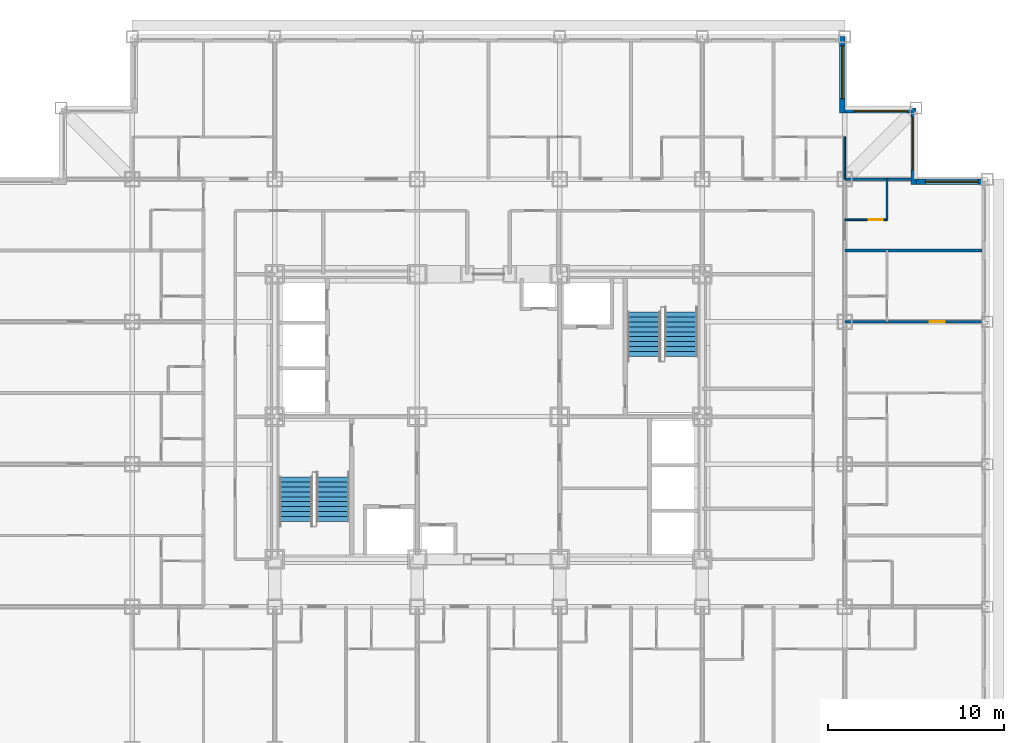
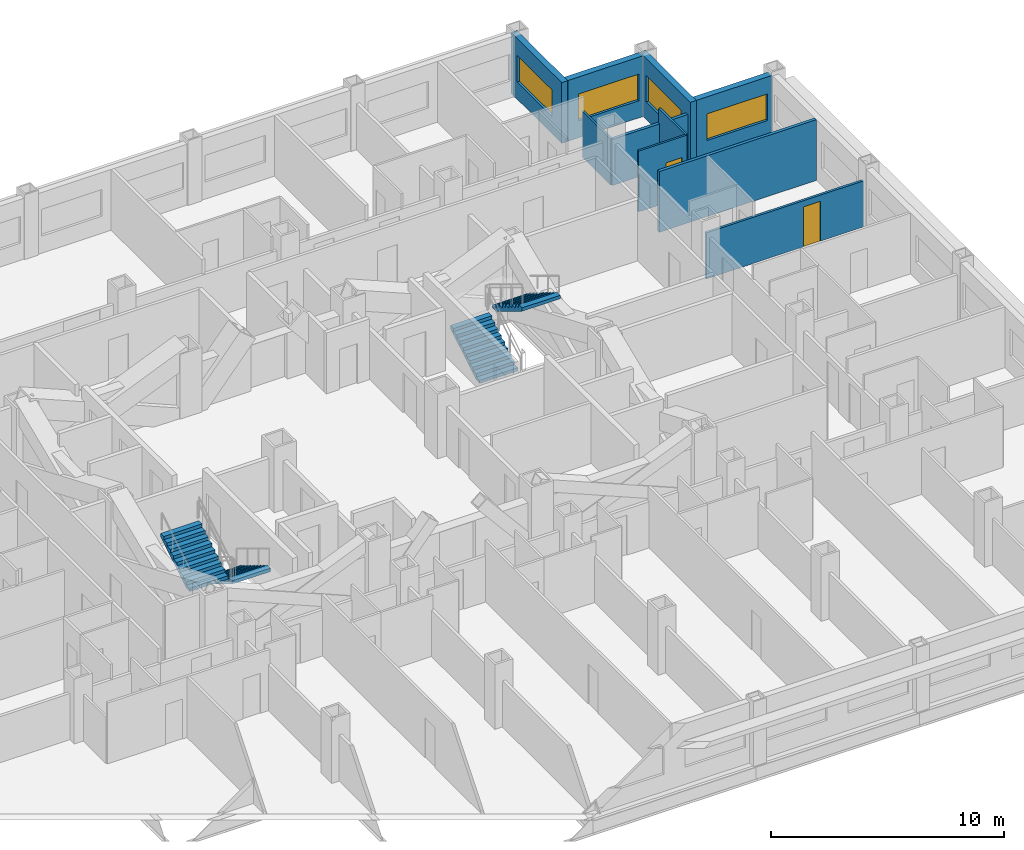
# One storey, part 11 of 12: 10 walls, 4 stair flights, 4 windows, 2 doors, 6 openings, 2 elements without a shape of their own.
"""IFC4 building model written with IfcOpenShell, lengths in metres."""

from ifc_helpers import new_model, si_unit, direction, frame, frame_2d, origin, place, context, subcontext, project, spatial, rectangle, extrude, polygons, source, transform, mapped, material, layer, layer_set, type_object, element, fill, aggregate, save


model = new_model("IFC4")

# Units and contexts
model_context = context("Model", 3, precision=1e-05, world=origin(), true_north=direction((0.0, 1.0)))
body_context = subcontext(model_context, "Body", "Model", "MODEL_VIEW")
ifc_project = project(units=[si_unit("LENGTHUNIT", "METRE"), si_unit("AREAUNIT", "SQUARE_METRE"), si_unit("VOLUMEUNIT", "CUBIC_METRE"), si_unit("PLANEANGLEUNIT", "RADIAN"), si_unit("MASSUNIT", "GRAM", prefix="KILO")], contexts=[model_context])

# Site, building, storey
site_placement = place(None, origin())
site = spatial("IfcSite", under=ifc_project, at=site_placement, CompositionType="ELEMENT")
building_placement = place(site_placement, origin())
building = spatial("IfcBuilding", under=site, at=building_placement, Name="Kopane Lantern Tower", CompositionType="ELEMENT")
storey_placement = place(building_placement, frame((0.0, 0.0, 147.60009765625)))
storey = spatial("IfcBuildingStorey", under=building, at=storey_placement, Name="L38", CompositionType="ELEMENT", Elevation=147.60009765625)

# Wall, opening, door
ifc_material_1 = material(Name="Gypsum board on steel studs", Category="steel")
ifc_layer_1 = layer(ifc_material_1, 0.1201171875)
ifc_layer_set_1 = layer_set([ifc_layer_1], Name="APARTMENT INTERNAL WALL 120")
wall_type_1 = type_object("IfcWallType", Name="APARTMENT INTERNAL WALL 120", PredefinedType="PARTITIONING", material=ifc_layer_set_1)
wall_1_placement = place(storey_placement, frame((48.60009765625, 37.800048828125, 0.0), z_axis=(0.0, 0.0, 1.0), x_axis=(1.0, 0.0, 0.0)))
wall_1 = element("IfcWall", 1, at=wall_1_placement, inside=storey, type_object=wall_type_1, Name="Apartment Internal Wall 120 L38", PredefinedType="PARTITIONING", context=body_context, shape_type="SweptSolid", body=[
    extrude(rectangle(XDim=7.7998046875, YDim=0.1201171875, at=frame_2d((3.89990234375, 0.0))), origin(), (0.0, 0.0, 1.0), 2.420166015625),
])
opening_1_placement = place(wall_1_placement, frame((4.824951171875, 0.0, 0.0)))
opening_1 = element("IfcOpeningElement", 2, at=opening_1_placement, cuts=wall_1, Name="Opening L38-053", PredefinedType="OPENING", context=body_context, shape_type="SweptSolid", body=[
    extrude(rectangle(XDim=0.85009765625, YDim=2.10009765625, at=frame_2d((0.425048828125, 1.050048828125))), frame((0.0, 0.070068359375, 0.0), z_axis=(0.0, -1.0, 0.0), x_axis=(1.0, 0.0, 0.0)), (0.0, 0.0, 1.0), 0.14013671875),
])
ifc_material_2 = material(Name="Timber door set", Category="wood")
door_type_1 = type_object("IfcDoorType", Name="DOOR D4 850x2100", OperationType="SINGLE_SWING_LEFT", PredefinedType="DOOR", material=ifc_material_2)
door_1_placement = place(opening_1_placement, origin())
door_1 = element("IfcDoor", 3, at=door_1_placement, inside=storey, type_object=door_type_1, Name="Door L38-053", OperationType="SINGLE_SWING_LEFT", OverallHeight=2.10009765625, OverallWidth=0.85009765625, PredefinedType="DOOR", context=body_context, shape_type="SweptSolid", body=[
    extrude(rectangle(XDim=0.85009765625, YDim=2.10009765625, at=frame_2d((0.425048828125, 1.050048828125))), frame((0.0, 0.02490234375, 0.0), z_axis=(0.0, -1.0, 0.0), x_axis=(1.0, 0.0, 0.0)), (0.0, 0.0, 1.0), 0.050048828125),
])
fill(opening_1, door_1)

# Wall
ifc_material_3 = material(Name="Moisture-resistant board on steel studs", Category="steel")
ifc_layer_2 = layer(ifc_material_3, 0.10009765625)
ifc_layer_set_2 = layer_set([ifc_layer_2], Name="BATHROOM WALL 100")
wall_type_2 = type_object("IfcWallType", Name="BATHROOM WALL 100", PredefinedType="PARTITIONING", material=ifc_layer_set_2)
wall_2_placement = place(storey_placement, frame((51.0, 43.60009765625, 0.0), z_axis=(0.0, 0.0, 1.0), x_axis=(0.0, 1.0, 0.0)))
element("IfcWall", 4, at=wall_2_placement, inside=storey, type_object=wall_type_2, Name="Bathroom Wall 100 L38", PredefinedType="PARTITIONING", context=body_context, shape_type="SweptSolid", body=[
    extrude(rectangle(XDim=2.2998046875, YDim=0.10009765625, at=frame_2d((1.14990234375, 0.0))), origin(), (0.0, 0.0, 1.0), 3.18994140625),
])

# Wall, opening, door
wall_3_placement = place(storey_placement, frame((48.60009765625, 43.60009765625, 0.0), z_axis=(0.0, 0.0, 1.0), x_axis=(1.0, 0.0, 0.0)))
wall_3 = element("IfcWall", 5, at=wall_3_placement, inside=storey, type_object=wall_type_2, Name="Bathroom Wall 100 L38", PredefinedType="PARTITIONING", context=body_context, shape_type="SweptSolid", body=[
    extrude(rectangle(XDim=2.39990234375, YDim=0.10009765625, at=frame_2d((1.199951171875, 0.0))), origin(), (0.0, 0.0, 1.0), 3.18994140625),
])
opening_2_placement = place(wall_3_placement, frame((1.35009765625, 0.0, 0.0)))
opening_2 = element("IfcOpeningElement", 6, at=opening_2_placement, cuts=wall_3, Name="Opening L38-054", PredefinedType="OPENING", context=body_context, shape_type="SweptSolid", body=[
    extrude(rectangle(XDim=0.800048828125, YDim=2.10009765625, at=frame_2d((0.39990234375, 1.050048828125))), frame((0.0, 0.06005859375, 0.0), z_axis=(0.0, -1.0, 0.0), x_axis=(1.0, 0.0, 0.0)), (0.0, 0.0, 1.0), 0.1201171875),
])
ifc_material_4 = material(Name="Timber door set", Category="wood")
door_type_2 = type_object("IfcDoorType", Name="DOOR D2 800x2100", OperationType="SINGLE_SWING_LEFT", PredefinedType="DOOR", material=ifc_material_4)
door_2_placement = place(opening_2_placement, origin())
door_2 = element("IfcDoor", 7, at=door_2_placement, inside=storey, type_object=door_type_2, Name="Door L38-054", OperationType="SINGLE_SWING_RIGHT", OverallHeight=2.10009765625, OverallWidth=0.800048828125, PredefinedType="DOOR", context=body_context, shape_type="SweptSolid", body=[
    extrude(rectangle(XDim=0.800048828125, YDim=2.10009765625, at=frame_2d((0.39990234375, 1.050048828125))), frame((0.0, 0.02490234375, 0.0), z_axis=(0.0, -1.0, 0.0), x_axis=(1.0, 0.0, 0.0)), (0.0, 0.0, 1.0), 0.050048828125),
])
fill(opening_2, door_2)

# Walls
wall_4_placement = place(storey_placement, frame((48.60009765625, 45.89990234375, 0.0), z_axis=(0.0, 0.0, 1.0), x_axis=(0.0, 1.0, 0.0)))
element("IfcWall", 8, at=wall_4_placement, inside=storey, type_object=wall_type_2, Name="Bathroom Wall 100 L38", PredefinedType="PARTITIONING", context=body_context, shape_type="SweptSolid", body=[
    extrude(rectangle(XDim=2.400146484375, YDim=0.10009765625, at=frame_2d((1.2001953125, 0.0))), origin(), (0.0, 0.0, 1.0), 2.420166015625),
])
ifc_material_5 = material(Name="Gypsum board on steel studs", Category="steel")
ifc_layer_3 = layer(ifc_material_5, 0.14990234375)
ifc_layer_set_3 = layer_set([ifc_layer_3], Name="DEMISING WALL 150 EI 60")
wall_type_3 = type_object("IfcWallType", Name="DEMISING WALL 150 EI 60", PredefinedType="PARTITIONING", material=ifc_layer_set_3)
wall_5_placement = place(storey_placement, frame((48.60009765625, 41.85009765625, 0.0), z_axis=(0.0, 0.0, 1.0), x_axis=(1.0, 0.0, 0.0)))
element("IfcWall", 9, at=wall_5_placement, inside=storey, type_object=wall_type_3, Name="Demising Wall 150 Ei 60 L38", PredefinedType="PARTITIONING", context=body_context, shape_type="SweptSolid", body=[
    extrude(rectangle(XDim=7.7998046875, YDim=0.14990234375, at=frame_2d((3.89990234375, 0.0))), origin(), (0.0, 0.0, 1.0), 3.18994140625),
])
wall_6_placement = place(storey_placement, frame((48.60009765625, 45.89990234375, 0.0), z_axis=(0.0, 0.0, 1.0), x_axis=(1.0, 0.0, 0.0)))
element("IfcWall", 10, at=wall_6_placement, inside=storey, type_object=wall_type_3, Name="Demising Wall 150 Ei 60 L38", PredefinedType="PARTITIONING", context=body_context, shape_type="SweptSolid", body=[
    extrude(rectangle(XDim=3.75, YDim=0.14990234375, at=frame_2d((1.875, 0.0))), origin(), (0.0, 0.0, 1.0), 2.420166015625),
])

# Wall, opening, window
ifc_material_6 = material(Name="Terracotta rainscreen on light steel framing", Category="masonry")
ifc_layer_4 = layer(ifc_material_6, 0.300048828125)
ifc_layer_set_4 = layer_set([ifc_layer_4], Name="EXTERNAL WALL EW1 300 TERRACOTTA")
wall_type_4 = type_object("IfcWallType", Name="EXTERNAL WALL EW1 300 TERRACOTTA", PredefinedType="SOLIDWALL", material=ifc_layer_set_4)
wall_7_placement = place(storey_placement, frame((56.39990234375, 45.75, 0.0), z_axis=(0.0, 0.0, 1.0), x_axis=(-1.0, 0.0, 0.0)))
wall_7 = element("IfcWall", 11, at=wall_7_placement, inside=storey, type_object=wall_type_4, Name="External wall N L38", PredefinedType="SOLIDWALL", context=body_context, shape_type="SweptSolid", body=[
    extrude(rectangle(XDim=3.75, YDim=0.300048828125, at=frame_2d((1.875, 0.0))), origin(), (0.0, 0.0, 1.0), 3.18994140625),
])
opening_3_placement = place(wall_7_placement, frame((0.22509765625, 0.0, 0.89990234375)))
opening_3 = element("IfcOpeningElement", 12, at=opening_3_placement, cuts=wall_7, Name="Opening WR300140", PredefinedType="OPENING", context=body_context, shape_type="SweptSolid", body=[
    extrude(rectangle(XDim=3.0, YDim=1.39990234375, at=frame_2d((1.5, 0.699951171875))), frame((0.0, 0.159912109375, 0.0), z_axis=(0.0, -1.0, 0.0), x_axis=(1.0, 0.0, 0.0)), (0.0, 0.0, 1.0), 0.320068359375),
])
ifc_material_7 = material(Name="Aluminium and clear glass", Category="aluminium")
window_type = type_object("IfcWindowType", Name="RIBBON WINDOW WR300140 3000x1400", PartitioningType="SINGLE_PANEL", PredefinedType="WINDOW", material=ifc_material_7)
window_1_placement = place(opening_3_placement, origin())
window_1 = element("IfcWindow", 13, at=window_1_placement, inside=storey, type_object=window_type, Name="Window N L38", OverallHeight=1.39990234375, OverallWidth=3.0, PartitioningType="SINGLE_PANEL", PredefinedType="WINDOW", context=body_context, shape_type="SweptSolid", body=[
    extrude(rectangle(XDim=3.0, YDim=1.39990234375, at=frame_2d((1.5, 0.699951171875))), frame((0.0, 0.030029296875, 0.0), z_axis=(0.0, -1.0, 0.0), x_axis=(1.0, 0.0, 0.0)), (0.0, 0.0, 1.0), 0.06005859375),
])
fill(opening_3, window_1)

wall_8_placement = place(storey_placement, frame((52.5, 45.60009765625, 0.0), z_axis=(0.0, 0.0, 1.0), x_axis=(0.0, 1.0, 0.0)))
wall_8 = element("IfcWall", 14, at=wall_8_placement, inside=storey, type_object=wall_type_4, Name="External wall E L38", PredefinedType="SOLIDWALL", context=body_context, shape_type="SweptSolid", body=[
    extrude(rectangle(XDim=4.349853515625, YDim=0.300048828125, at=frame_2d((2.1748046875, 0.0))), origin(), (0.0, 0.0, 1.0), 3.18994140625),
])
opening_4_placement = place(wall_8_placement, frame((0.824951171875, 0.0, 0.89990234375)))
opening_4 = element("IfcOpeningElement", 15, at=opening_4_placement, cuts=wall_8, Name="Opening WR300140", PredefinedType="OPENING", context=body_context, shape_type="SweptSolid", body=[
    extrude(rectangle(XDim=3.0, YDim=1.39990234375, at=frame_2d((1.5, 0.699951171875))), frame((0.0, 0.159912109375, 0.0), z_axis=(0.0, -1.0, 0.0), x_axis=(1.0, 0.0, 0.0)), (0.0, 0.0, 1.0), 0.320068359375),
])
window_2_placement = place(opening_4_placement, origin())
window_2 = element("IfcWindow", 16, at=window_2_placement, inside=storey, type_object=window_type, Name="Window E L38", OverallHeight=1.39990234375, OverallWidth=3.0, PartitioningType="SINGLE_PANEL", PredefinedType="WINDOW", context=body_context, shape_type="SweptSolid", body=[
    extrude(rectangle(XDim=3.0, YDim=1.39990234375, at=frame_2d((1.5, 0.699951171875))), frame((0.0, 0.030029296875, 0.0), z_axis=(0.0, -1.0, 0.0), x_axis=(1.0, 0.0, 0.0)), (0.0, 0.0, 1.0), 0.06005859375),
])
fill(opening_4, window_2)

wall_9_placement = place(storey_placement, frame((52.35009765625, 49.800048828125, 0.0), z_axis=(0.0, 0.0, 1.0), x_axis=(-1.0, 0.0, 0.0)))
wall_9 = element("IfcWall", 17, at=wall_9_placement, inside=storey, type_object=wall_type_4, Name="External wall N L38", PredefinedType="SOLIDWALL", context=body_context, shape_type="SweptSolid", body=[
    extrude(rectangle(XDim=3.75, YDim=0.300048828125, at=frame_2d((1.875, 0.0))), origin(), (0.0, 0.0, 1.0), 3.18994140625),
])
opening_5_placement = place(wall_9_placement, frame((0.22509765625, 0.0, 0.89990234375)))
opening_5 = element("IfcOpeningElement", 18, at=opening_5_placement, cuts=wall_9, Name="Opening WR300140", PredefinedType="OPENING", context=body_context, shape_type="SweptSolid", body=[
    extrude(rectangle(XDim=3.0, YDim=1.39990234375, at=frame_2d((1.5, 0.699951171875))), frame((0.0, 0.159912109375, 0.0), z_axis=(0.0, -1.0, 0.0), x_axis=(1.0, 0.0, 0.0)), (0.0, 0.0, 1.0), 0.320068359375),
])
window_3_placement = place(opening_5_placement, origin())
window_3 = element("IfcWindow", 19, at=window_3_placement, inside=storey, type_object=window_type, Name="Window N L38", OverallHeight=1.39990234375, OverallWidth=3.0, PartitioningType="SINGLE_PANEL", PredefinedType="WINDOW", context=body_context, shape_type="SweptSolid", body=[
    extrude(rectangle(XDim=3.0, YDim=1.39990234375, at=frame_2d((1.5, 0.699951171875))), frame((0.0, 0.030029296875, 0.0), z_axis=(0.0, -1.0, 0.0), x_axis=(1.0, 0.0, 0.0)), (0.0, 0.0, 1.0), 0.06005859375),
])
fill(opening_5, window_3)

wall_10_placement = place(storey_placement, frame((48.449951171875, 49.64990234375, 0.0), z_axis=(0.0, 0.0, 1.0), x_axis=(0.0, 1.0, 0.0)))
wall_10 = element("IfcWall", 20, at=wall_10_placement, inside=storey, type_object=wall_type_4, Name="External wall E L38", PredefinedType="SOLIDWALL", context=body_context, shape_type="SweptSolid", body=[
    extrude(rectangle(XDim=4.35009765625, YDim=0.300048828125, at=frame_2d((2.175048828125, 0.0))), origin(), (0.0, 0.0, 1.0), 3.18994140625),
])
opening_6_placement = place(wall_10_placement, frame((0.824951171875, 0.0, 0.89990234375)))
opening_6 = element("IfcOpeningElement", 21, at=opening_6_placement, cuts=wall_10, Name="Opening WR300140", PredefinedType="OPENING", context=body_context, shape_type="SweptSolid", body=[
    extrude(rectangle(XDim=3.0, YDim=1.39990234375, at=frame_2d((1.5, 0.699951171875))), frame((0.0, 0.159912109375, 0.0), z_axis=(0.0, -1.0, 0.0), x_axis=(1.0, 0.0, 0.0)), (0.0, 0.0, 1.0), 0.320068359375),
])
window_4_placement = place(opening_6_placement, origin())
window_4 = element("IfcWindow", 22, at=window_4_placement, inside=storey, type_object=window_type, Name="Window E L38", OverallHeight=1.39990234375, OverallWidth=3.0, PartitioningType="SINGLE_PANEL", PredefinedType="WINDOW", context=body_context, shape_type="SweptSolid", body=[
    extrude(rectangle(XDim=3.0, YDim=1.39990234375, at=frame_2d((1.5, 0.699951171875))), frame((0.0, 0.030029296875, 0.0), z_axis=(0.0, -1.0, 0.0), x_axis=(1.0, 0.0, 0.0)), (0.0, 0.0, 1.0), 0.06005859375),
])
fill(opening_6, window_4)

# Stair, stair flights
ifc_material_8 = material(Name="Steel S355JR", Category="steel")
stair_type = type_object("IfcStairType", Name="EXIT STAIR 1900 HALF TURN", PredefinedType="HALF_TURN_STAIR", material=ifc_material_8)
stair_1_placement = place(storey_placement, origin())
stair_1 = element("IfcStair", 23, at=stair_1_placement, inside=storey, type_object=stair_type, Name="Exit stair ST1 L38", PredefinedType="HALF_TURN_STAIR")
ifc_material_9 = material(Name="Steel S355JR", Category="steel")
stair_flight_type = type_object("IfcStairFlightType", Name="STAIR FLIGHT 1900 STEEL", PredefinedType="STRAIGHT", material=ifc_material_9)
shared_shape = source(origin(), body_context, "Body", "Tessellation", [
    polygons([(2.520019531, 0.949951172, 1.530029297), (2.239990234, 0.949951172, 1.530029297), (2.239990234, -0.949951172, 1.530029297), (2.520019531, -0.949951172, 1.530029297), (0.288818359, 0.949951172, 0.0), (2.520019531, 0.949951172, 1.354736328), (2.520019531, -0.949951172, 1.354736328), (0.288818359, -0.949951172, 0.0), (0.0, 0.949951172, 0.0), (0.0, -0.949951172, 0.0), (0.280029297, 0.949951172, 0.169921875), (0.0, 0.949951172, 0.169921875), (0.0, -0.949951172, 0.169921875), (0.280029297, -0.949951172, 0.169921875), (0.280029297, 0.949951172, 0.340087891), (0.280029297, -0.949951172, 0.340087891), (0.560058594, 0.949951172, 0.340087891), (0.560058594, -0.949951172, 0.340087891), (0.560058594, 0.949951172, 0.510009766), (0.560058594, -0.949951172, 0.510009766), (0.840087891, 0.949951172, 0.510009766), (0.840087891, -0.949951172, 0.510009766), (0.840087891, 0.949951172, 0.679931641), (0.840087891, -0.949951172, 0.679931641), (1.120117188, 0.949951172, 0.679931641), (1.120117188, -0.949951172, 0.679931641), (1.120117188, 0.949951172, 0.850097656), (1.120117188, -0.949951172, 0.850097656), (1.399902344, 0.949951172, 0.850097656), (1.399902344, -0.949951172, 0.850097656), (1.399902344, 0.949951172, 1.020019531), (1.399902344, -0.949951172, 1.020019531), (1.679931641, 0.949951172, 1.020019531), (1.679931641, -0.949951172, 1.020019531), (1.679931641, 0.949951172, 1.189941406), (1.679931641, -0.949951172, 1.189941406), (1.959960938, 0.949951172, 1.189941406), (1.959960938, -0.949951172, 1.189941406), (1.959960938, 0.949951172, 1.360107422), (1.959960938, -0.949951172, 1.360107422), (2.239990234, 0.949951172, 1.360107422), (2.239990234, -0.949951172, 1.360107422), (0.0, 0.0, 0.004592483), (0.0, 0.0, 0.009184966), (0.0, 0.0, 0.013777449), (0.0, 0.0, 0.018369932), (0.0, 0.0, 0.022962416), (0.0, 0.0, 0.027554899), (0.0, 0.0, 0.032147382), (0.0, 0.0, 0.036739865), (0.0, 0.0, 0.041332348), (0.0, 0.0, 0.045924831), (0.0, 0.0, 0.050517314), (0.0, 0.0, 0.055109797), (0.0, 0.0, 0.05970228), (0.0, 0.0, 0.064294764), (0.0, 0.0, 0.068887247), (0.0, 0.0, 0.07347973), (0.0, 0.0, 0.078072213), (0.0, 0.0, 0.082664696), (0.0, 0.0, 0.087257179), (0.0, 0.0, 0.091849662), (0.0, 0.0, 0.096442145), (0.0, 0.0, 0.101034628), (0.0, 0.0, 0.105627111), (0.0, 0.0, 0.110219595), (0.0, 0.0, 0.114812078), (0.0, 0.0, 0.119404561), (0.0, 0.0, 0.123997044), (0.0, 0.0, 0.128589527), (0.0, 0.0, 0.13318201), (0.0, 0.0, 0.137774493), (0.0, 0.0, 0.142366976), (0.0, 0.0, 0.146959459), (0.0, 0.0, 0.151551943), (0.0, 0.0, 0.156144426), (0.0, 0.0, 0.160736909), (0.0, 0.0, 0.165329392), (2.520019531, 0.0, 1.359473976), (2.520019531, 0.0, 1.364211624), (2.520019531, 0.0, 1.368949272), (2.520019531, 0.0, 1.373686919), (2.520019531, 0.0, 1.378424567), (2.520019531, 0.0, 1.383162215), (2.520019531, 0.0, 1.387899863), (2.520019531, 0.0, 1.392637511), (2.520019531, 0.0, 1.397375158), (2.520019531, 0.0, 1.402112806), (2.520019531, 0.0, 1.406850454), (2.520019531, 0.0, 1.411588102), (2.520019531, 0.0, 1.41632575), (2.520019531, 0.0, 1.421063397), (2.520019531, 0.0, 1.425801045), (2.520019531, 0.0, 1.430538693), (2.520019531, 0.0, 1.435276341), (2.520019531, 0.0, 1.440013989), (2.520019531, 0.0, 1.444751636), (2.520019531, 0.0, 1.449489284), (2.520019531, 0.0, 1.454226932), (2.520019531, 0.0, 1.45896458), (2.520019531, 0.0, 1.463702228), (2.520019531, 0.0, 1.468439875), (2.520019531, 0.0, 1.473177523), (2.520019531, 0.0, 1.477915171), (2.520019531, 0.0, 1.482652819), (2.520019531, 0.0, 1.487390467), (2.520019531, 0.0, 1.492128114), (2.520019531, 0.0, 1.496865762), (2.520019531, 0.0, 1.50160341), (2.520019531, 0.0, 1.506341058), (2.520019531, 0.0, 1.511078706), (2.520019531, 0.0, 1.515816353), (2.520019531, 0.0, 1.520554001), (2.520019531, 0.0, 1.525291649)], [[[1, 2, 3]], [[1, 3, 4]], [[5, 6, 7]], [[5, 7, 8]], [[9, 5, 8]], [[9, 8, 10]], [[11, 12, 13]], [[11, 13, 14]], [[15, 11, 14]], [[15, 14, 16]], [[17, 15, 16]], [[17, 16, 18]], [[19, 17, 18]], [[19, 18, 20]], [[21, 19, 20]], [[21, 20, 22]], [[23, 21, 22]], [[23, 22, 24]], [[25, 23, 24]], [[25, 24, 26]], [[27, 25, 26]], [[27, 26, 28]], [[29, 27, 28]], [[29, 28, 30]], [[31, 29, 30]], [[31, 30, 32]], [[33, 31, 32]], [[33, 32, 34]], [[35, 33, 34]], [[35, 34, 36]], [[37, 35, 36]], [[37, 36, 38]], [[39, 37, 38]], [[39, 38, 40]], [[41, 39, 40]], [[41, 40, 42]], [[2, 41, 42]], [[2, 42, 3]], [[41, 1, 6]], [[37, 41, 6]], [[2, 1, 41]], [[33, 37, 6]], [[39, 41, 37]], [[35, 37, 33]], [[31, 33, 29]], [[5, 21, 25]], [[27, 29, 25]], [[17, 21, 5]], [[23, 25, 21]], [[11, 17, 5]], [[19, 21, 17]], [[9, 11, 5]], [[15, 17, 11]], [[12, 11, 9]], [[6, 5, 25]], [[6, 25, 29]], [[6, 29, 33]], [[7, 4, 42]], [[7, 42, 38]], [[42, 4, 3]], [[7, 38, 34]], [[38, 42, 40]], [[34, 38, 36]], [[30, 34, 32]], [[26, 22, 8]], [[26, 30, 28]], [[8, 22, 18]], [[22, 26, 24]], [[8, 18, 14]], [[18, 22, 20]], [[8, 14, 10]], [[14, 18, 16]], [[10, 14, 13]], [[26, 8, 7]], [[30, 26, 7]], [[34, 30, 7]], [[10, 43, 9]], [[10, 44, 43]], [[9, 43, 44]], [[10, 45, 44]], [[9, 44, 45]], [[10, 46, 45]], [[9, 45, 46]], [[10, 47, 46]], [[9, 46, 47]], [[10, 48, 47]], [[9, 47, 48]], [[10, 49, 48]], [[9, 48, 49]], [[10, 50, 49]], [[9, 49, 50]], [[10, 51, 50]], [[9, 50, 51]], [[10, 52, 51]], [[9, 51, 52]], [[10, 53, 52]], [[9, 52, 53]], [[10, 54, 53]], [[9, 53, 54]], [[10, 55, 54]], [[9, 54, 55]], [[10, 56, 55]], [[9, 55, 56]], [[10, 57, 56]], [[9, 56, 57]], [[10, 58, 57]], [[9, 57, 58]], [[10, 59, 58]], [[9, 58, 59]], [[10, 60, 59]], [[9, 59, 60]], [[10, 61, 60]], [[9, 60, 61]], [[10, 62, 61]], [[9, 61, 62]], [[10, 63, 62]], [[9, 62, 63]], [[10, 64, 63]], [[9, 63, 64]], [[10, 65, 64]], [[9, 64, 65]], [[10, 66, 65]], [[9, 65, 66]], [[10, 67, 66]], [[9, 66, 67]], [[10, 68, 67]], [[9, 67, 68]], [[10, 69, 68]], [[9, 68, 69]], [[10, 70, 69]], [[9, 69, 70]], [[10, 71, 70]], [[9, 70, 71]], [[10, 72, 71]], [[9, 71, 72]], [[10, 73, 72]], [[9, 72, 73]], [[10, 74, 73]], [[9, 73, 74]], [[10, 75, 74]], [[9, 74, 75]], [[10, 76, 75]], [[9, 75, 76]], [[10, 77, 76]], [[9, 76, 77]], [[10, 78, 77]], [[9, 77, 78]], [[10, 13, 78]], [[78, 13, 12]], [[9, 78, 12]], [[7, 6, 79]], [[7, 79, 80]], [[6, 80, 79]], [[7, 80, 81]], [[6, 81, 80]], [[7, 81, 82]], [[6, 82, 81]], [[7, 82, 83]], [[6, 83, 82]], [[7, 83, 84]], [[6, 84, 83]], [[7, 84, 85]], [[6, 85, 84]], [[7, 85, 86]], [[6, 86, 85]], [[7, 86, 87]], [[6, 87, 86]], [[7, 87, 88]], [[6, 88, 87]], [[7, 88, 89]], [[6, 89, 88]], [[7, 89, 90]], [[6, 90, 89]], [[7, 90, 91]], [[6, 91, 90]], [[7, 91, 92]], [[6, 92, 91]], [[7, 92, 93]], [[6, 93, 92]], [[7, 93, 94]], [[6, 94, 93]], [[7, 94, 95]], [[6, 95, 94]], [[7, 95, 96]], [[6, 96, 95]], [[7, 96, 97]], [[6, 97, 96]], [[7, 97, 98]], [[6, 98, 97]], [[7, 98, 99]], [[6, 99, 98]], [[7, 99, 100]], [[6, 100, 99]], [[7, 100, 101]], [[6, 101, 100]], [[7, 101, 102]], [[6, 102, 101]], [[7, 102, 103]], [[6, 103, 102]], [[7, 103, 104]], [[6, 104, 103]], [[7, 104, 105]], [[6, 105, 104]], [[7, 105, 106]], [[6, 106, 105]], [[7, 106, 107]], [[6, 107, 106]], [[7, 107, 108]], [[6, 108, 107]], [[7, 108, 109]], [[6, 109, 108]], [[7, 109, 110]], [[6, 110, 109]], [[7, 110, 111]], [[6, 111, 110]], [[7, 111, 112]], [[6, 112, 111]], [[7, 112, 113]], [[6, 113, 112]], [[7, 113, 114]], [[6, 114, 113]], [[7, 114, 4]], [[114, 1, 4]], [[6, 1, 114]]], closed=True),
])
stair_flight_1_placement = place(storey_placement, frame((19.5, 28.969970703125, 0.0), z_axis=(0.0, 0.0, 1.0), x_axis=(0.0, -1.0, 0.0)))
stair_flight_1 = element("IfcStairFlight", 24, at=stair_flight_1_placement, type_object=stair_flight_type, Name="ST1 flight 1", NumberOfRisers=10, NumberOfTreads=9, PredefinedType="STRAIGHT", RiserHeight=0.17, TreadLength=0.28, context=body_context, shape_type="MappedRepresentation", body=[
    mapped(shared_shape, transform((0.0, 0.0, 0.0))),
])
stair_flight_2_placement = place(storey_placement, frame((17.39990234375, 26.449951171875, 1.699951171875), z_axis=(0.0, 0.0, 1.0), x_axis=(0.0, 1.0, 0.0)))
stair_flight_2 = element("IfcStairFlight", 25, at=stair_flight_2_placement, type_object=stair_flight_type, Name="ST1 flight 2", NumberOfRisers=10, NumberOfTreads=9, PredefinedType="STRAIGHT", RiserHeight=0.17, TreadLength=0.28, context=body_context, shape_type="MappedRepresentation", body=[
    mapped(shared_shape, transform((0.0, 0.0, 0.0))),
])
aggregate(stair_1, [stair_flight_1, stair_flight_2])

stair_2_placement = place(storey_placement, origin())
stair_2 = element("IfcStair", 26, at=stair_2_placement, inside=storey, type_object=stair_type, Name="Exit stair ST2 L38", PredefinedType="HALF_TURN_STAIR")
stair_flight_3_placement = place(storey_placement, frame((37.199951171875, 35.830078125, 0.0), z_axis=(0.0, 0.0, 1.0), x_axis=(0.0, 1.0, 0.0)))
stair_flight_3 = element("IfcStairFlight", 27, at=stair_flight_3_placement, type_object=stair_flight_type, Name="ST2 flight 1", NumberOfRisers=10, NumberOfTreads=9, PredefinedType="STRAIGHT", RiserHeight=0.17, TreadLength=0.28, context=body_context, shape_type="MappedRepresentation", body=[
    mapped(shared_shape, transform((0.0, 0.0, 0.0))),
])
stair_flight_4_placement = place(storey_placement, frame((39.300048828125, 38.35009765625, 1.699951171875), z_axis=(0.0, 0.0, 1.0), x_axis=(0.0, -1.0, 0.0)))
stair_flight_4 = element("IfcStairFlight", 28, at=stair_flight_4_placement, type_object=stair_flight_type, Name="ST2 flight 2", NumberOfRisers=10, NumberOfTreads=9, PredefinedType="STRAIGHT", RiserHeight=0.17, TreadLength=0.28, context=body_context, shape_type="MappedRepresentation", body=[
    mapped(shared_shape, transform((0.0, 0.0, 0.0))),
])
aggregate(stair_2, [stair_flight_3, stair_flight_4])

save(model, "model.ifc")
